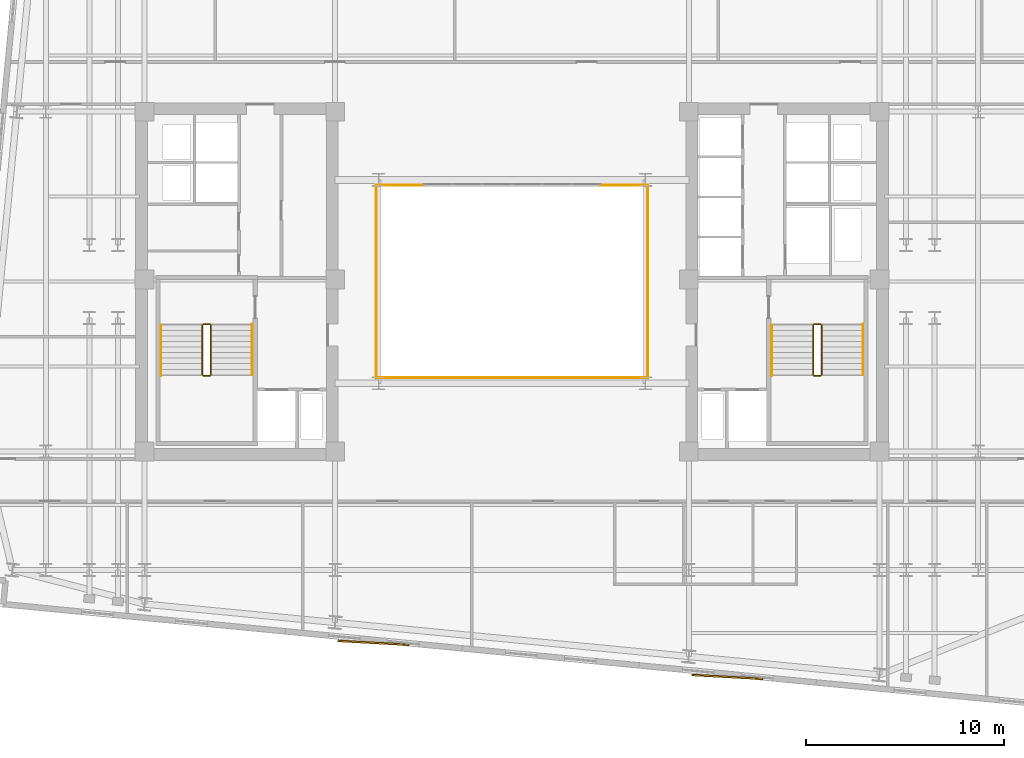
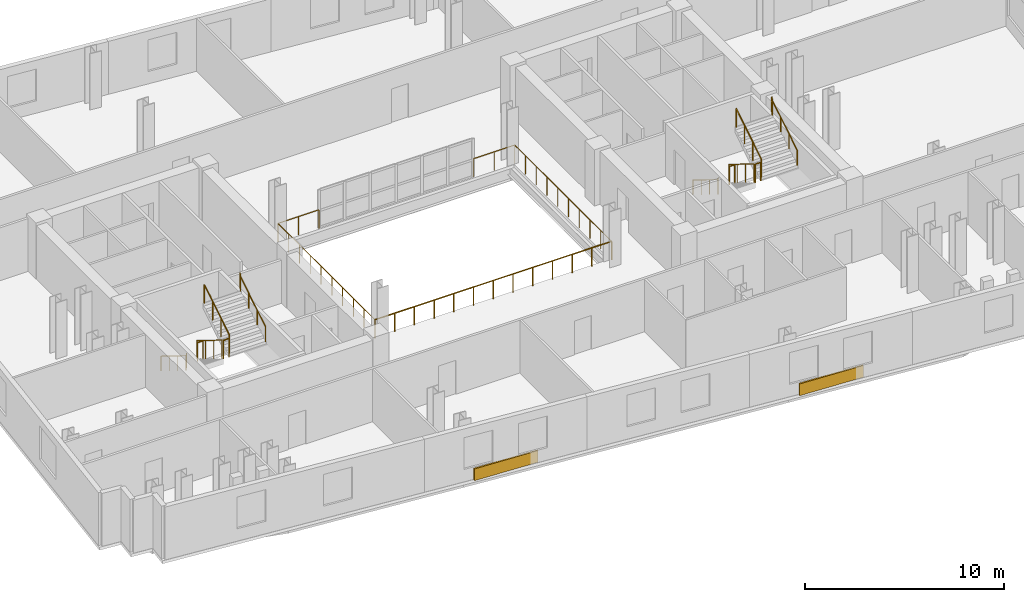
# One storey, part 9 of 10: 17 railings, 2 coverings.
"""IFC4 building model written with IfcOpenShell, lengths in metres."""

from ifc_helpers import new_model, si_unit, direction, frame, origin, origin_2d, place, context, subcontext, project, spatial, rectangle, circle, extrude, material, layer, layer_set, type_object, element, save


model = new_model("IFC4")

# Units and contexts
model_context = context("Model", 3, precision=1e-05, world=origin(), true_north=direction((0.0, 1.0)))
body_context = subcontext(model_context, "Body", "Model", "MODEL_VIEW")
ifc_project = project(units=[si_unit("LENGTHUNIT", "METRE"), si_unit("AREAUNIT", "SQUARE_METRE"), si_unit("VOLUMEUNIT", "CUBIC_METRE"), si_unit("PLANEANGLEUNIT", "RADIAN"), si_unit("MASSUNIT", "GRAM", prefix="KILO")], contexts=[model_context])

# Site, building, storey
site_placement = place(None, origin())
site = spatial("IfcSite", under=ifc_project, at=site_placement, CompositionType="ELEMENT")
building_placement = place(site_placement, origin())
building = spatial("IfcBuilding", under=site, at=building_placement, Name="Velakula Bourse", CompositionType="ELEMENT")
storey_placement = place(building_placement, frame((0.0, 0.0, 174.199951171875)))
storey = spatial("IfcBuildingStorey", under=building, at=storey_placement, Name="L47", CompositionType="ELEMENT", Elevation=174.199951171875)

# Coverings
ifc_material_1 = material(Name="Buff kilned clay facing brick masonry", Category="masonry")
ifc_layer = layer(ifc_material_1, 0.074951171875, Name="Buff kilned clay facing brick masonry", Category="masonry")
ifc_layer_set = layer_set([ifc_layer], Name="Buff kilned clay facing brick masonry")
covering_type = type_object("IfcCoveringType", Name="COV-BRK-SPN-75", PredefinedType="CLADDING", material=ifc_layer_set)
for number, where, z_axis, x_axis, name in (
    (1, (-7.01220703125, -18.288330078125, 0.0), (0.0, 0.0, 1.0), (0.998489097451, -0.054950179912, 0.0), "L47 Folded Brick Facade Cladding Panel S-B2"),
    (2, (10.905029296875, -20.013671875, 0.0), (0.0, 0.0, 1.0), (0.998489097451, -0.054950179912, 0.0), "L47 Folded Brick Facade Cladding Panel S-B4"),
):
    element("IfcCovering", number, at=place(storey_placement, frame(where, z_axis=z_axis, x_axis=x_axis)), inside=storey, type_object=covering_type, Name=name, PredefinedType="CLADDING", context=body_context, shape_type="SweptSolid", body=[
        extrude(rectangle(XDim=3.60009765625, YDim=0.090087890625, at=origin_2d()), origin(), (0.0, 0.0, 1.0), 0.719970703125),
    ])

# Railings
ifc_material_2 = material(Name="Brushed grade 316 stainless steel", Category="steel")
railing_type_1 = type_object("IfcRailingType", Name="RLG-ATRIUM-1150", PredefinedType="BALUSTRADE", material=ifc_material_2)
railing_1_placement = place(storey_placement, frame((-6.8798828125, -4.8798828125, 0.0)))
element("IfcRailing", 3, at=railing_1_placement, inside=storey, type_object=railing_type_1, Name="L47 Central Trading Atrium Balustrade S", PredefinedType="BALUSTRADE", context=body_context, shape_type="SweptSolid", body=[
    extrude(circle(Radius=0.02392578125, at=origin_2d()), frame((0.0, 0.0, 1.1259765625), z_axis=(1.0, 0.0, 0.0), x_axis=(0.0, 1.0, 0.0)), (0.0, 0.0, 1.0), 13.759765625),
    extrude(circle(Radius=0.02099609375, at=origin_2d()), origin(), (0.0, 0.0, 1.0), 1.101806640625),
    extrude(circle(Radius=0.02099609375, at=origin_2d()), frame((1.146728515625, 0.0, 0.0)), (0.0, 0.0, 1.0), 1.101806640625),
    extrude(circle(Radius=0.02099609375, at=origin_2d()), frame((2.293212890625, 0.0, 0.0)), (0.0, 0.0, 1.0), 1.101806640625),
    extrude(circle(Radius=0.02099609375, at=origin_2d()), frame((3.43994140625, 0.0, 0.0)), (0.0, 0.0, 1.0), 1.101806640625),
    extrude(circle(Radius=0.02099609375, at=origin_2d()), frame((4.586669921875, 0.0, 0.0)), (0.0, 0.0, 1.0), 1.101806640625),
    extrude(circle(Radius=0.02099609375, at=origin_2d()), frame((5.733154296875, 0.0, 0.0)), (0.0, 0.0, 1.0), 1.101806640625),
    extrude(circle(Radius=0.02099609375, at=origin_2d()), frame((6.8798828125, 0.0, 0.0)), (0.0, 0.0, 1.0), 1.101806640625),
    extrude(circle(Radius=0.02099609375, at=origin_2d()), frame((8.026611328125, 0.0, 0.0)), (0.0, 0.0, 1.0), 1.101806640625),
    extrude(circle(Radius=0.02099609375, at=origin_2d()), frame((9.173095703125, 0.0, 0.0)), (0.0, 0.0, 1.0), 1.101806640625),
    extrude(circle(Radius=0.02099609375, at=origin_2d()), frame((10.31982421875, 0.0, 0.0)), (0.0, 0.0, 1.0), 1.101806640625),
    extrude(circle(Radius=0.02099609375, at=origin_2d()), frame((11.466552734375, 0.0, 0.0)), (0.0, 0.0, 1.0), 1.101806640625),
    extrude(circle(Radius=0.02099609375, at=origin_2d()), frame((12.613037109375, 0.0, 0.0)), (0.0, 0.0, 1.0), 1.101806640625),
    extrude(circle(Radius=0.02099609375, at=origin_2d()), frame((13.759765625, 0.0, 0.0)), (0.0, 0.0, 1.0), 1.101806640625),
])
railing_2_placement = place(storey_placement, frame((-6.8798828125, 4.8798828125, 0.0)))
element("IfcRailing", 4, at=railing_2_placement, inside=storey, type_object=railing_type_1, Name="L47 Central Trading Atrium Balustrade W", PredefinedType="BALUSTRADE", context=body_context, shape_type="SweptSolid", body=[
    extrude(circle(Radius=0.02392578125, at=origin_2d()), frame((0.0, 0.0, 1.1259765625), z_axis=(0.0, -1.0, 0.0), x_axis=(1.0, 0.0, 0.0)), (0.0, 0.0, 1.0), 9.759765625),
    extrude(circle(Radius=0.02099609375, at=origin_2d()), origin(), (0.0, 0.0, 1.0), 1.101806640625),
    extrude(circle(Radius=0.02099609375, at=origin_2d()), frame((0.0, -1.08447265625, 0.0)), (0.0, 0.0, 1.0), 1.101806640625),
    extrude(circle(Radius=0.02099609375, at=origin_2d()), frame((0.0, -2.1689453125, 0.0)), (0.0, 0.0, 1.0), 1.101806640625),
    extrude(circle(Radius=0.02099609375, at=origin_2d()), frame((0.0, -3.253173828125, 0.0)), (0.0, 0.0, 1.0), 1.101806640625),
    extrude(circle(Radius=0.02099609375, at=origin_2d()), frame((0.0, -4.337646484375, 0.0)), (0.0, 0.0, 1.0), 1.101806640625),
    extrude(circle(Radius=0.02099609375, at=origin_2d()), frame((0.0, -5.422119140625, 0.0)), (0.0, 0.0, 1.0), 1.101806640625),
    extrude(circle(Radius=0.02099609375, at=origin_2d()), frame((0.0, -6.506591796875, 0.0)), (0.0, 0.0, 1.0), 1.101806640625),
    extrude(circle(Radius=0.02099609375, at=origin_2d()), frame((0.0, -7.5908203125, 0.0)), (0.0, 0.0, 1.0), 1.101806640625),
    extrude(circle(Radius=0.02099609375, at=origin_2d()), frame((0.0, -8.67529296875, 0.0)), (0.0, 0.0, 1.0), 1.101806640625),
    extrude(circle(Radius=0.02099609375, at=origin_2d()), frame((0.0, -9.759765625, 0.0)), (0.0, 0.0, 1.0), 1.101806640625),
])
railing_3_placement = place(storey_placement, frame((6.8798828125, -4.8798828125, 0.0)))
element("IfcRailing", 5, at=railing_3_placement, inside=storey, type_object=railing_type_1, Name="L47 Central Trading Atrium Balustrade E", PredefinedType="BALUSTRADE", context=body_context, shape_type="SweptSolid", body=[
    extrude(circle(Radius=0.02392578125, at=origin_2d()), frame((0.0, 0.0, 1.1259765625), z_axis=(0.0, 1.0, 0.0), x_axis=(-1.0, 0.0, 0.0)), (0.0, 0.0, 1.0), 9.759765625),
    extrude(circle(Radius=0.02099609375, at=origin_2d()), origin(), (0.0, 0.0, 1.0), 1.101806640625),
    extrude(circle(Radius=0.02099609375, at=origin_2d()), frame((0.0, 1.08447265625, 0.0)), (0.0, 0.0, 1.0), 1.101806640625),
    extrude(circle(Radius=0.02099609375, at=origin_2d()), frame((0.0, 2.1689453125, 0.0)), (0.0, 0.0, 1.0), 1.101806640625),
    extrude(circle(Radius=0.02099609375, at=origin_2d()), frame((0.0, 3.253173828125, 0.0)), (0.0, 0.0, 1.0), 1.101806640625),
    extrude(circle(Radius=0.02099609375, at=origin_2d()), frame((0.0, 4.337646484375, 0.0)), (0.0, 0.0, 1.0), 1.101806640625),
    extrude(circle(Radius=0.02099609375, at=origin_2d()), frame((0.0, 5.422119140625, 0.0)), (0.0, 0.0, 1.0), 1.101806640625),
    extrude(circle(Radius=0.02099609375, at=origin_2d()), frame((0.0, 6.506591796875, 0.0)), (0.0, 0.0, 1.0), 1.101806640625),
    extrude(circle(Radius=0.02099609375, at=origin_2d()), frame((0.0, 7.5908203125, 0.0)), (0.0, 0.0, 1.0), 1.101806640625),
    extrude(circle(Radius=0.02099609375, at=origin_2d()), frame((0.0, 8.67529296875, 0.0)), (0.0, 0.0, 1.0), 1.101806640625),
    extrude(circle(Radius=0.02099609375, at=origin_2d()), frame((0.0, 9.759765625, 0.0)), (0.0, 0.0, 1.0), 1.101806640625),
])
for number, where, name in (
    (6, (-4.5, 4.8798828125, 0.0), "L47 Central Trading Atrium Balustrade NW"),
    (7, (6.8798828125, 4.8798828125, 0.0), "L47 Central Trading Atrium Balustrade NE"),
):
    element("IfcRailing", number, at=place(storey_placement, frame(where)), inside=storey, type_object=railing_type_1, Name=name, PredefinedType="BALUSTRADE", context=body_context, shape_type="SweptSolid", body=[
        extrude(circle(Radius=0.02392578125, at=origin_2d()), frame((0.0, 0.0, 1.1259765625), z_axis=(-1.0, 0.0, 0.0), x_axis=(0.0, -1.0, 0.0)), (0.0, 0.0, 1.0), 2.3798828125),
        extrude(circle(Radius=0.02099609375, at=origin_2d()), origin(), (0.0, 0.0, 1.0), 1.101806640625),
        extrude(circle(Radius=0.02099609375, at=origin_2d()), frame((-1.18994140625, 0.0, 0.0)), (0.0, 0.0, 1.0), 1.101806640625),
        extrude(circle(Radius=0.02099609375, at=origin_2d()), frame((-2.3798828125, 0.0, 0.0)), (0.0, 0.0, 1.0), 1.101806640625),
    ])
railing_type_2 = type_object("IfcRailingType", Name="RLG-STAIR-GUARD-1150", PredefinedType="BALUSTRADE", material=ifc_material_2)
railing_4_placement = place(storey_placement, frame((-15.672119140625, -2.199951171875, 0.172607421875)))
element("IfcRailing", 8, at=railing_4_placement, inside=storey, type_object=railing_type_2, Name="L47 ST-W1 stair guard 1", PredefinedType="BALUSTRADE", context=body_context, shape_type="SweptSolid", body=[
    extrude(circle(Radius=0.02490234375, at=origin_2d()), frame((0.0, 0.0, 1.125), z_axis=(0.0, -0.851400495292, 0.524516154772), x_axis=(1.0, 0.0, 0.0)), (0.0, 0.0, 1.0), 2.9599609375),
    extrude(circle(Radius=0.02099609375, at=origin_2d()), origin(), (0.0, 0.0, 1.0), 1.099853515625),
    extrude(circle(Radius=0.02099609375, at=origin_2d()), frame((0.0, -0.840087890625, 0.517578125)), (0.0, 0.0, 1.0), 1.099853515625),
    extrude(circle(Radius=0.02099609375, at=origin_2d()), frame((0.0, -1.679931640625, 1.034912109375)), (0.0, 0.0, 1.0), 1.099853515625),
    extrude(circle(Radius=0.02099609375, at=origin_2d()), frame((0.0, -2.52001953125, 1.552490234375)), (0.0, 0.0, 1.0), 1.099853515625),
])
railing_5_placement = place(storey_placement, frame((-15.6220703125, -4.77001953125, 1.72509765625)))
element("IfcRailing", 9, at=railing_5_placement, inside=storey, type_object=railing_type_2, Name="L47 ST-W1 stair guard 2", PredefinedType="BALUSTRADE", context=body_context, shape_type="SweptSolid", body=[
    extrude(circle(Radius=0.02490234375, at=origin_2d()), frame((0.0, 0.0, 1.125), z_axis=(1.0, 0.0, 0.0), x_axis=(0.0, 1.0, 0.0)), (0.0, 0.0, 1.0), 0.323974609375),
    extrude(circle(Radius=0.02099609375, at=origin_2d()), origin(), (0.0, 0.0, 1.0), 1.099853515625),
    extrude(circle(Radius=0.02099609375, at=origin_2d()), frame((0.323974609375, 0.0, 0.0)), (0.0, 0.0, 1.0), 1.099853515625),
])
railing_6_placement = place(storey_placement, frame((-15.248046875, -4.719970703125, 1.8974609375)))
element("IfcRailing", 10, at=railing_6_placement, inside=storey, type_object=railing_type_2, Name="L47 ST-W1 stair guard 3", PredefinedType="BALUSTRADE", context=body_context, shape_type="SweptSolid", body=[
    extrude(circle(Radius=0.02490234375, at=origin_2d()), frame((0.0, 0.0, 1.125), z_axis=(0.0, 0.851400495292, 0.524516154772), x_axis=(-1.0, 0.0, 0.0)), (0.0, 0.0, 1.0), 2.9599609375),
    extrude(circle(Radius=0.02099609375, at=origin_2d()), origin(), (0.0, 0.0, 1.0), 1.099853515625),
    extrude(circle(Radius=0.02099609375, at=origin_2d()), frame((0.0, 0.840087890625, 0.517578125)), (0.0, 0.0, 1.0), 1.099853515625),
    extrude(circle(Radius=0.02099609375, at=origin_2d()), frame((0.0, 1.679931640625, 1.034912109375)), (0.0, 0.0, 1.0), 1.099853515625),
    extrude(circle(Radius=0.02099609375, at=origin_2d()), frame((0.0, 2.52001953125, 1.552490234375)), (0.0, 0.0, 1.0), 1.099853515625),
])
railing_7_placement = place(storey_placement, frame((-15.6220703125, -2.14990234375, 0.0)))
element("IfcRailing", 11, at=railing_7_placement, inside=storey, type_object=railing_type_2, Name="L47 ST-W1 stair guard 4", PredefinedType="BALUSTRADE", context=body_context, shape_type="SweptSolid", body=[
    extrude(circle(Radius=0.02490234375, at=origin_2d()), frame((0.0, 0.0, 1.125), z_axis=(1.0, 0.0, 0.0), x_axis=(0.0, 1.0, 0.0)), (0.0, 0.0, 1.0), 0.323974609375),
    extrude(circle(Radius=0.02099609375, at=origin_2d()), origin(), (0.0, 0.0, 1.0), 1.099853515625),
    extrude(circle(Radius=0.02099609375, at=origin_2d()), frame((0.323974609375, 0.0, 0.0)), (0.0, 0.0, 1.0), 1.099853515625),
])
railing_8_placement = place(storey_placement, frame((15.248046875, -2.199951171875, 0.172607421875)))
element("IfcRailing", 12, at=railing_8_placement, inside=storey, type_object=railing_type_2, Name="L47 ST-E1 stair guard 1", PredefinedType="BALUSTRADE", context=body_context, shape_type="SweptSolid", body=[
    extrude(circle(Radius=0.02490234375, at=origin_2d()), frame((0.0, 0.0, 1.125), z_axis=(0.0, -0.851400495292, 0.524516154772), x_axis=(1.0, 0.0, 0.0)), (0.0, 0.0, 1.0), 2.9599609375),
    extrude(circle(Radius=0.02099609375, at=origin_2d()), origin(), (0.0, 0.0, 1.0), 1.099853515625),
    extrude(circle(Radius=0.02099609375, at=origin_2d()), frame((0.0, -0.840087890625, 0.517578125)), (0.0, 0.0, 1.0), 1.099853515625),
    extrude(circle(Radius=0.02099609375, at=origin_2d()), frame((0.0, -1.679931640625, 1.034912109375)), (0.0, 0.0, 1.0), 1.099853515625),
    extrude(circle(Radius=0.02099609375, at=origin_2d()), frame((0.0, -2.52001953125, 1.552490234375)), (0.0, 0.0, 1.0), 1.099853515625),
])
railing_9_placement = place(storey_placement, frame((15.298095703125, -4.77001953125, 1.72509765625)))
element("IfcRailing", 13, at=railing_9_placement, inside=storey, type_object=railing_type_2, Name="L47 ST-E1 stair guard 2", PredefinedType="BALUSTRADE", context=body_context, shape_type="SweptSolid", body=[
    extrude(circle(Radius=0.02490234375, at=origin_2d()), frame((0.0, 0.0, 1.125), z_axis=(1.0, 0.0, 0.0), x_axis=(0.0, 1.0, 0.0)), (0.0, 0.0, 1.0), 0.323974609375),
    extrude(circle(Radius=0.02099609375, at=origin_2d()), origin(), (0.0, 0.0, 1.0), 1.099853515625),
    extrude(circle(Radius=0.02099609375, at=origin_2d()), frame((0.323974609375, 0.0, 0.0)), (0.0, 0.0, 1.0), 1.099853515625),
])
railing_10_placement = place(storey_placement, frame((15.672119140625, -4.719970703125, 1.8974609375)))
element("IfcRailing", 14, at=railing_10_placement, inside=storey, type_object=railing_type_2, Name="L47 ST-E1 stair guard 3", PredefinedType="BALUSTRADE", context=body_context, shape_type="SweptSolid", body=[
    extrude(circle(Radius=0.02490234375, at=origin_2d()), frame((0.0, 0.0, 1.125), z_axis=(0.0, 0.851400495292, 0.524516154772), x_axis=(-1.0, 0.0, 0.0)), (0.0, 0.0, 1.0), 2.9599609375),
    extrude(circle(Radius=0.02099609375, at=origin_2d()), origin(), (0.0, 0.0, 1.0), 1.099853515625),
    extrude(circle(Radius=0.02099609375, at=origin_2d()), frame((0.0, 0.840087890625, 0.517578125)), (0.0, 0.0, 1.0), 1.099853515625),
    extrude(circle(Radius=0.02099609375, at=origin_2d()), frame((0.0, 1.679931640625, 1.034912109375)), (0.0, 0.0, 1.0), 1.099853515625),
    extrude(circle(Radius=0.02099609375, at=origin_2d()), frame((0.0, 2.52001953125, 1.552490234375)), (0.0, 0.0, 1.0), 1.099853515625),
])
railing_11_placement = place(storey_placement, frame((15.298095703125, -2.14990234375, 0.0)))
element("IfcRailing", 15, at=railing_11_placement, inside=storey, type_object=railing_type_2, Name="L47 ST-E1 stair guard 4", PredefinedType="BALUSTRADE", context=body_context, shape_type="SweptSolid", body=[
    extrude(circle(Radius=0.02490234375, at=origin_2d()), frame((0.0, 0.0, 1.125), z_axis=(1.0, 0.0, 0.0), x_axis=(0.0, 1.0, 0.0)), (0.0, 0.0, 1.0), 0.323974609375),
    extrude(circle(Radius=0.02099609375, at=origin_2d()), origin(), (0.0, 0.0, 1.0), 1.099853515625),
    extrude(circle(Radius=0.02099609375, at=origin_2d()), frame((0.323974609375, 0.0, 0.0)), (0.0, 0.0, 1.0), 1.099853515625),
])
railing_type_3 = type_object("IfcRailingType", Name="RLG-STAIR-HAND-920", PredefinedType="HANDRAIL", material=ifc_material_2)
railing_12_placement = place(storey_placement, frame((-17.77001953125, -2.199951171875, 0.172607421875)))
element("IfcRailing", 16, at=railing_12_placement, inside=storey, type_object=railing_type_3, Name="L47 ST-W1 stair handrail 1", PredefinedType="HANDRAIL", context=body_context, shape_type="SweptSolid", body=[
    extrude(circle(Radius=0.02099609375, at=origin_2d()), frame((0.0, 0.0, 0.89892578125), z_axis=(0.0, -0.851400495292, 0.524516154772), x_axis=(1.0, 0.0, 0.0)), (0.0, 0.0, 1.0), 2.9599609375),
    extrude(circle(Radius=0.02099609375, at=origin_2d()), frame((0.0, -2.52001953125, 2.451416015625), z_axis=(0.0, -0.226269970362, 0.974064628509), x_axis=(1.0, 0.0, 0.0)), (0.0, 0.0, 1.0), 0.177001953125),
    extrude(circle(Radius=0.02099609375, at=origin_2d()), frame((0.0, -2.56005859375, 2.623779296875), z_axis=(0.0, -1.0, 0.0), x_axis=(1.0, 0.0, 0.0)), (0.0, 0.0, 1.0), 0.0048828125),
    extrude(circle(Radius=0.02099609375, at=origin_2d()), origin(), (0.0, 0.0, 1.0), 0.8779296875),
    extrude(circle(Radius=0.02099609375, at=origin_2d()), frame((0.0, -0.840087890625, 0.517578125)), (0.0, 0.0, 1.0), 0.8779296875),
    extrude(circle(Radius=0.02099609375, at=origin_2d()), frame((0.0, -1.679931640625, 1.034912109375)), (0.0, 0.0, 1.0), 0.8779296875),
    extrude(circle(Radius=0.02099609375, at=origin_2d()), frame((0.0, -2.52001953125, 1.552490234375)), (0.0, 0.0, 1.0), 0.8779296875),
    extrude(circle(Radius=0.02099609375, at=origin_2d()), frame((0.0, -2.56005859375, 1.724853515625)), (0.0, 0.0, 1.0), 0.8779296875),
    extrude(circle(Radius=0.02099609375, at=origin_2d()), frame((0.0, -2.56494140625, 1.724853515625)), (0.0, 0.0, 1.0), 0.8779296875),
])
railing_13_placement = place(storey_placement, frame((-13.14990234375, -4.719970703125, 1.8974609375)))
element("IfcRailing", 17, at=railing_13_placement, inside=storey, type_object=railing_type_3, Name="L47 ST-W1 stair handrail 2", PredefinedType="HANDRAIL", context=body_context, shape_type="SweptSolid", body=[
    extrude(circle(Radius=0.02099609375, at=origin_2d()), frame((0.0, 0.0, 0.89892578125), z_axis=(0.0, 0.851400495292, 0.524516154772), x_axis=(-1.0, 0.0, 0.0)), (0.0, 0.0, 1.0), 2.9599609375),
    extrude(circle(Radius=0.02099609375, at=origin_2d()), frame((0.0, 2.52001953125, 2.451416015625), z_axis=(0.0, 0.22596628056, 0.974135124123), x_axis=(-1.0, 0.0, 0.0)), (0.0, 0.0, 1.0), 0.17724609375),
    extrude(circle(Radius=0.02099609375, at=origin_2d()), frame((0.0, 2.56005859375, 2.6240234375), z_axis=(0.0, 1.0, 0.0), x_axis=(-1.0, 0.0, 0.0)), (0.0, 0.0, 1.0), 0.0048828125),
    extrude(circle(Radius=0.02099609375, at=origin_2d()), origin(), (0.0, 0.0, 1.0), 0.8779296875),
    extrude(circle(Radius=0.02099609375, at=origin_2d()), frame((0.0, 0.840087890625, 0.517578125)), (0.0, 0.0, 1.0), 0.8779296875),
    extrude(circle(Radius=0.02099609375, at=origin_2d()), frame((0.0, 1.679931640625, 1.034912109375)), (0.0, 0.0, 1.0), 0.8779296875),
    extrude(circle(Radius=0.02099609375, at=origin_2d()), frame((0.0, 2.52001953125, 1.552490234375)), (0.0, 0.0, 1.0), 0.8779296875),
    extrude(circle(Radius=0.02099609375, at=origin_2d()), frame((0.0, 2.56005859375, 1.72509765625)), (0.0, 0.0, 1.0), 0.8779296875),
    extrude(circle(Radius=0.02099609375, at=origin_2d()), frame((0.0, 2.56494140625, 1.72509765625)), (0.0, 0.0, 1.0), 0.8779296875),
])
railing_14_placement = place(storey_placement, frame((13.14990234375, -2.199951171875, 0.172607421875)))
element("IfcRailing", 18, at=railing_14_placement, inside=storey, type_object=railing_type_3, Name="L47 ST-E1 stair handrail 1", PredefinedType="HANDRAIL", context=body_context, shape_type="SweptSolid", body=[
    extrude(circle(Radius=0.02099609375, at=origin_2d()), frame((0.0, 0.0, 0.89892578125), z_axis=(0.0, -0.851400495292, 0.524516154772), x_axis=(1.0, 0.0, 0.0)), (0.0, 0.0, 1.0), 2.9599609375),
    extrude(circle(Radius=0.02099609375, at=origin_2d()), frame((0.0, -2.52001953125, 2.451416015625), z_axis=(0.0, -0.226269970362, 0.974064628509), x_axis=(1.0, 0.0, 0.0)), (0.0, 0.0, 1.0), 0.177001953125),
    extrude(circle(Radius=0.02099609375, at=origin_2d()), frame((0.0, -2.56005859375, 2.623779296875), z_axis=(0.0, -1.0, 0.0), x_axis=(1.0, 0.0, 0.0)), (0.0, 0.0, 1.0), 0.0048828125),
    extrude(circle(Radius=0.02099609375, at=origin_2d()), origin(), (0.0, 0.0, 1.0), 0.8779296875),
    extrude(circle(Radius=0.02099609375, at=origin_2d()), frame((0.0, -0.840087890625, 0.517578125)), (0.0, 0.0, 1.0), 0.8779296875),
    extrude(circle(Radius=0.02099609375, at=origin_2d()), frame((0.0, -1.679931640625, 1.034912109375)), (0.0, 0.0, 1.0), 0.8779296875),
    extrude(circle(Radius=0.02099609375, at=origin_2d()), frame((0.0, -2.52001953125, 1.552490234375)), (0.0, 0.0, 1.0), 0.8779296875),
    extrude(circle(Radius=0.02099609375, at=origin_2d()), frame((0.0, -2.56005859375, 1.724853515625)), (0.0, 0.0, 1.0), 0.8779296875),
    extrude(circle(Radius=0.02099609375, at=origin_2d()), frame((0.0, -2.56494140625, 1.724853515625)), (0.0, 0.0, 1.0), 0.8779296875),
])
railing_15_placement = place(storey_placement, frame((17.77001953125, -4.719970703125, 1.8974609375)))
element("IfcRailing", 19, at=railing_15_placement, inside=storey, type_object=railing_type_3, Name="L47 ST-E1 stair handrail 2", PredefinedType="HANDRAIL", context=body_context, shape_type="SweptSolid", body=[
    extrude(circle(Radius=0.02099609375, at=origin_2d()), frame((0.0, 0.0, 0.89892578125), z_axis=(0.0, 0.851400495292, 0.524516154772), x_axis=(-1.0, 0.0, 0.0)), (0.0, 0.0, 1.0), 2.9599609375),
    extrude(circle(Radius=0.02099609375, at=origin_2d()), frame((0.0, 2.52001953125, 2.451416015625), z_axis=(0.0, 0.22596628056, 0.974135124123), x_axis=(-1.0, 0.0, 0.0)), (0.0, 0.0, 1.0), 0.17724609375),
    extrude(circle(Radius=0.02099609375, at=origin_2d()), frame((0.0, 2.56005859375, 2.6240234375), z_axis=(0.0, 1.0, 0.0), x_axis=(-1.0, 0.0, 0.0)), (0.0, 0.0, 1.0), 0.0048828125),
    extrude(circle(Radius=0.02099609375, at=origin_2d()), origin(), (0.0, 0.0, 1.0), 0.8779296875),
    extrude(circle(Radius=0.02099609375, at=origin_2d()), frame((0.0, 0.840087890625, 0.517578125)), (0.0, 0.0, 1.0), 0.8779296875),
    extrude(circle(Radius=0.02099609375, at=origin_2d()), frame((0.0, 1.679931640625, 1.034912109375)), (0.0, 0.0, 1.0), 0.8779296875),
    extrude(circle(Radius=0.02099609375, at=origin_2d()), frame((0.0, 2.52001953125, 1.552490234375)), (0.0, 0.0, 1.0), 0.8779296875),
    extrude(circle(Radius=0.02099609375, at=origin_2d()), frame((0.0, 2.56005859375, 1.72509765625)), (0.0, 0.0, 1.0), 0.8779296875),
    extrude(circle(Radius=0.02099609375, at=origin_2d()), frame((0.0, 2.56494140625, 1.72509765625)), (0.0, 0.0, 1.0), 0.8779296875),
])

save(model, "model.ifc")
